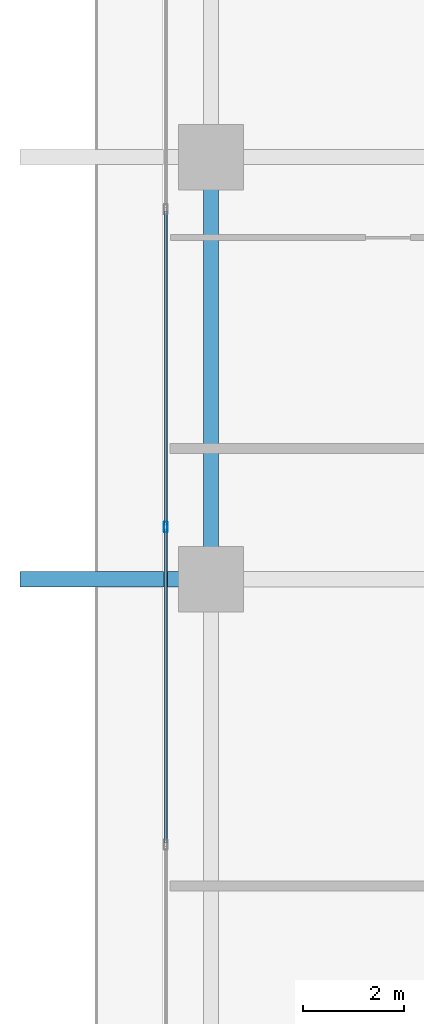
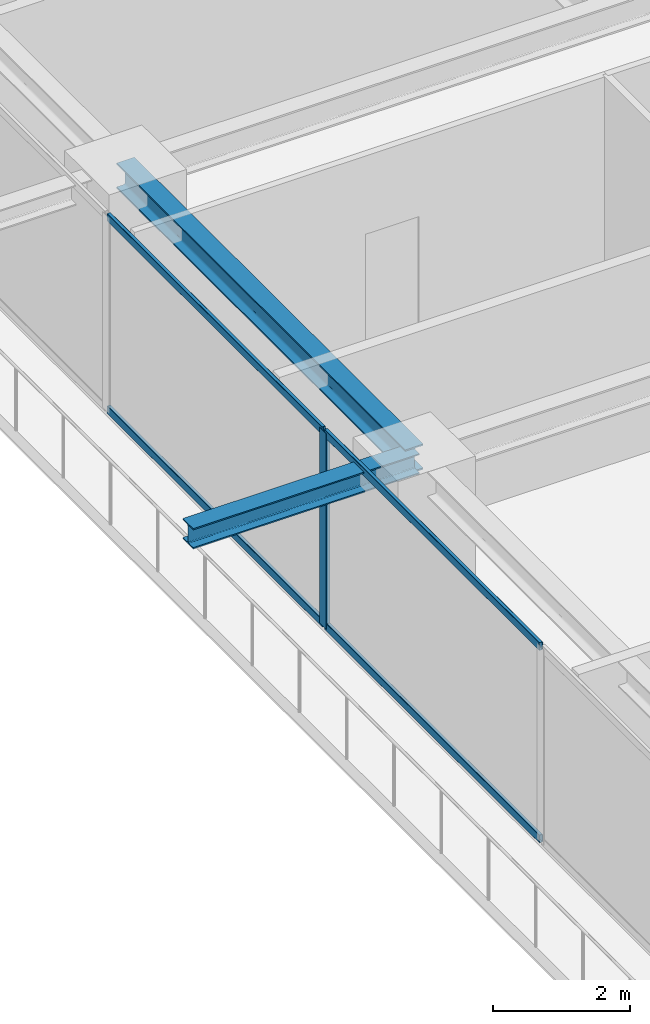
# One storey, part 6 of 33: 5 members, 2 beams, 1 element without a shape of its own.
"""IFC4 building model written with IfcOpenShell, lengths in metres."""

from ifc_helpers import new_model, si_unit, direction, frame, origin, origin_2d, place, context, subcontext, project, spatial, hollow_rectangle, i_section, extrude, source, transform, mapped, material, layer, layer_set, material_profile, profile_set, type_object, element, aggregate, save


model = new_model("IFC4")

# Units and contexts
model_context = context("Model", 3, precision=1e-05, world=origin(), true_north=direction((0.0, 1.0)))
body_context = subcontext(model_context, "Body", "Model", "MODEL_VIEW")
ifc_project = project(units=[si_unit("LENGTHUNIT", "METRE"), si_unit("AREAUNIT", "SQUARE_METRE"), si_unit("VOLUMEUNIT", "CUBIC_METRE"), si_unit("PLANEANGLEUNIT", "RADIAN"), si_unit("MASSUNIT", "GRAM", prefix="KILO")], contexts=[model_context])

# Site, building, storey
site_placement = place(None, origin())
site = spatial("IfcSite", under=ifc_project, at=site_placement, CompositionType="ELEMENT")
building_placement = place(site_placement, origin())
building = spatial("IfcBuilding", under=site, at=building_placement, Name="Serunith Strait Residences", CompositionType="ELEMENT")
storey_placement = place(building_placement, frame((0.0, 0.0, 165.14990234375)))
storey = spatial("IfcBuildingStorey", under=building, at=storey_placement, Name="L41", CompositionType="ELEMENT", Elevation=165.14990234375)

# Beams
ifc_material_1 = material(Name="Steel S355J2", Category="steel")
ifc_material_profile_1 = material_profile(ifc_material_1, i_section(OverallWidth=0.300048828125, OverallDepth=0.449951171875, WebThickness=0.013916015625, FlangeThickness=0.02587890625, FilletRadius=0.027099609375, at=origin_2d()), Name="HEB 450")
ifc_profile_set_1 = profile_set([ifc_material_profile_1], Name="Steel S355J2")
beam_type_1 = type_object("IfcBeamType", Name="BM-HEB450", PredefinedType="BEAM", material=ifc_profile_set_1)
shared_shape_1 = source(origin(), body_context, "Body", "SweptSolid", [
    extrude(i_section(OverallWidth=0.300048828125, OverallDepth=0.449951171875, WebThickness=0.013916015625, FlangeThickness=0.02587890625, FilletRadius=0.027099609375, at=origin_2d()), origin(), (0.0, 0.0, 1.0), 8.39990234375),
])
beam_1_placement = place(storey_placement, frame((8.699951171875, 29.39990234375, 3.26220703125), z_axis=(0.0, -1.0, 0.0), x_axis=(1.0, 0.0, 0.0)))
element("IfcBeam", 1, at=beam_1_placement, inside=storey, type_object=beam_type_1, Name="L41 Perimeter Ring Beam 14", PredefinedType="BEAM", context=body_context, shape_type="MappedRepresentation", body=[
    mapped(shared_shape_1, transform((0.0, 0.0, 0.0), scale=1.0)),
])
ifc_material_profile_2 = material_profile(ifc_material_1, i_section(OverallWidth=0.300048828125, OverallDepth=0.360107421875, WebThickness=0.012451171875, FlangeThickness=0.0224609375, FilletRadius=0.027099609375, at=origin_2d()), Name="HEB 360")
ifc_profile_set_2 = profile_set([ifc_material_profile_2], Name="Steel S355J2")
beam_type_2 = type_object("IfcBeamType", Name="BM-HEB360", PredefinedType="BEAM", material=ifc_profile_set_2)
shared_shape_2 = source(origin(), body_context, "Body", "SweptSolid", [
    extrude(i_section(OverallWidth=0.300048828125, OverallDepth=0.360107421875, WebThickness=0.012451171875, FlangeThickness=0.0224609375, FilletRadius=0.027099609375, at=origin_2d()), origin(), (0.0, 0.0, 1.0), 3.800048828125),
])
beam_2_placement = place(storey_placement, frame((8.699951171875, 21.0, 3.277099609375), z_axis=(-1.0, 0.0, 0.0), x_axis=(0.0, -1.0, 0.0)))
element("IfcBeam", 2, at=beam_2_placement, inside=storey, type_object=beam_type_2, Name="L42 Cantilevered Balcony Rib TC-W2", PredefinedType="BEAM", context=body_context, shape_type="MappedRepresentation", body=[
    mapped(shared_shape_2, transform((0.0, 0.0, 0.0), scale=1.0)),
])

# Curtain wall, members
ifc_material_2 = material(Name="Pale-Champagne Anodised Aluminium", Category="aluminium")
ifc_layer = layer(ifc_material_2, 0.199951171875, Name="Pale-Champagne Anodised Aluminium")
ifc_layer_set = layer_set([ifc_layer], Name="Pale-Champagne Anodised Aluminium")
curtain_wall_type = type_object("IfcCurtainWallType", Name="CW-SYS2", PredefinedType="NOTDEFINED", material=ifc_layer_set)
curtain_wall_placement = place(storey_placement, origin())
curtain_wall = element("IfcCurtainWall", 3, at=curtain_wall_placement, inside=storey, type_object=curtain_wall_type, Name="L41 W Unitised Fritted Curtain Wall", PredefinedType="NOTDEFINED")
ifc_material_profile_3 = material_profile(ifc_material_2, hollow_rectangle(XDim=0.070068359375, YDim=0.199951171875, WallThickness=0.00390625, InnerFilletRadius=0.006103515625, OuterFilletRadius=0.010009765625, at=origin_2d()), Name="ALU 200x70x4")
ifc_profile_set_3 = profile_set([ifc_material_profile_3], Name="Pale-Champagne Anodised Aluminium")
member_type_1 = type_object("IfcMemberType", Name="CW-SYS2-MULL", PredefinedType="MULLION", material=ifc_profile_set_3)
shared_shape_3 = source(origin(), body_context, "Body", "SweptSolid", [
    extrude(hollow_rectangle(XDim=0.070068359375, YDim=0.199951171875, WallThickness=0.00390625, InnerFilletRadius=0.006103515625, OuterFilletRadius=0.010009765625, at=origin_2d()), origin(), (0.0, 0.0, 1.0), 3.47509765625),
])
member_1_placement = place(storey_placement, frame((7.800048828125, 22.0400390625, 0.0), z_axis=(0.0, 0.0, 1.0), x_axis=(1.0, 0.0, 0.0)))
member_1 = element("IfcMember", 4, at=member_1_placement, type_object=member_type_1, Name="CW-2 mullion 4", PredefinedType="MULLION", context=body_context, shape_type="MappedRepresentation", body=[
    mapped(shared_shape_3, transform((0.0, 0.0, 0.0), scale=1.0)),
])
ifc_material_profile_4 = material_profile(ifc_material_2, hollow_rectangle(XDim=0.06005859375, YDim=0.139892578125, WallThickness=0.00341796875, InnerFilletRadius=0.00537109375, OuterFilletRadius=0.0087890625, at=origin_2d()), Name="ALU 140x60x3.5")
ifc_profile_set_4 = profile_set([ifc_material_profile_4], Name="Pale-Champagne Anodised Aluminium")
member_type_2 = type_object("IfcMemberType", Name="CW-SYS2-TRAN", PredefinedType="USERDEFINED", material=ifc_profile_set_4)
shared_shape_4 = source(origin(), body_context, "Body", "SweptSolid", [
    extrude(hollow_rectangle(XDim=0.06005859375, YDim=0.139892578125, WallThickness=0.00341796875, InnerFilletRadius=0.00537109375, OuterFilletRadius=0.0087890625, at=origin_2d()), origin(), (0.0, 0.0, 1.0), 6.25),
])
member_2_placement = place(storey_placement, frame((7.800048828125, 28.324951171875, 0.030029296875), z_axis=(0.0, -1.0, 0.0), x_axis=(1.0, 0.0, 0.0)))
member_2 = element("IfcMember", 5, at=member_2_placement, type_object=member_type_2, Name="CW-2 transom 3.1", ObjectType="TRANSOM", PredefinedType="USERDEFINED", context=body_context, shape_type="MappedRepresentation", body=[
    mapped(shared_shape_4, transform((0.0, 0.0, 0.0), scale=1.0)),
])
member_3_placement = place(storey_placement, frame((7.800048828125, 28.324951171875, 3.445068359375), z_axis=(0.0, -1.0, 0.0), x_axis=(1.0, 0.0, 0.0)))
member_3 = element("IfcMember", 6, at=member_3_placement, type_object=member_type_2, Name="CW-2 transom 3.2", ObjectType="TRANSOM", PredefinedType="USERDEFINED", context=body_context, shape_type="MappedRepresentation", body=[
    mapped(shared_shape_4, transform((0.0, 0.0, 0.0), scale=1.0)),
])
member_4_placement = place(storey_placement, frame((7.800048828125, 22.0048828125, 0.030029296875), z_axis=(0.0, -1.0, 0.0), x_axis=(1.0, 0.0, 0.0)))
member_4 = element("IfcMember", 7, at=member_4_placement, type_object=member_type_2, Name="CW-2 transom 4.1", ObjectType="TRANSOM", PredefinedType="USERDEFINED", context=body_context, shape_type="MappedRepresentation", body=[
    mapped(shared_shape_4, transform((0.0, 0.0, 0.0), scale=1.0)),
])
member_5_placement = place(storey_placement, frame((7.800048828125, 22.0048828125, 3.445068359375), z_axis=(0.0, -1.0, 0.0), x_axis=(1.0, 0.0, 0.0)))
member_5 = element("IfcMember", 8, at=member_5_placement, type_object=member_type_2, Name="CW-2 transom 4.2", ObjectType="TRANSOM", PredefinedType="USERDEFINED", context=body_context, shape_type="MappedRepresentation", body=[
    mapped(shared_shape_4, transform((0.0, 0.0, 0.0), scale=1.0)),
])
aggregate(curtain_wall, [member_1, member_2, member_3, member_4, member_5])

save(model, "model.ifc")
